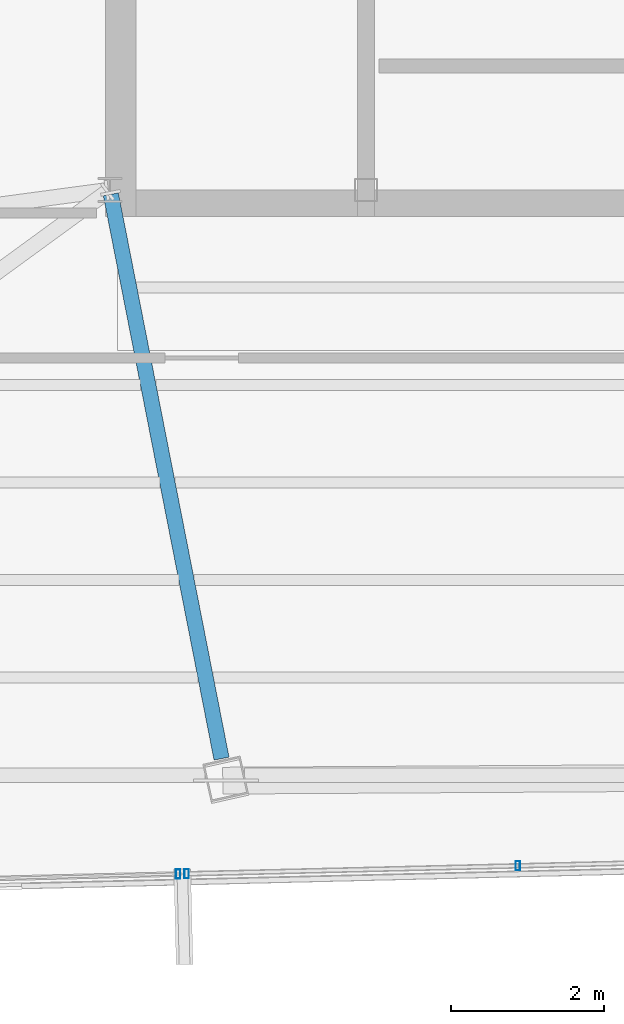
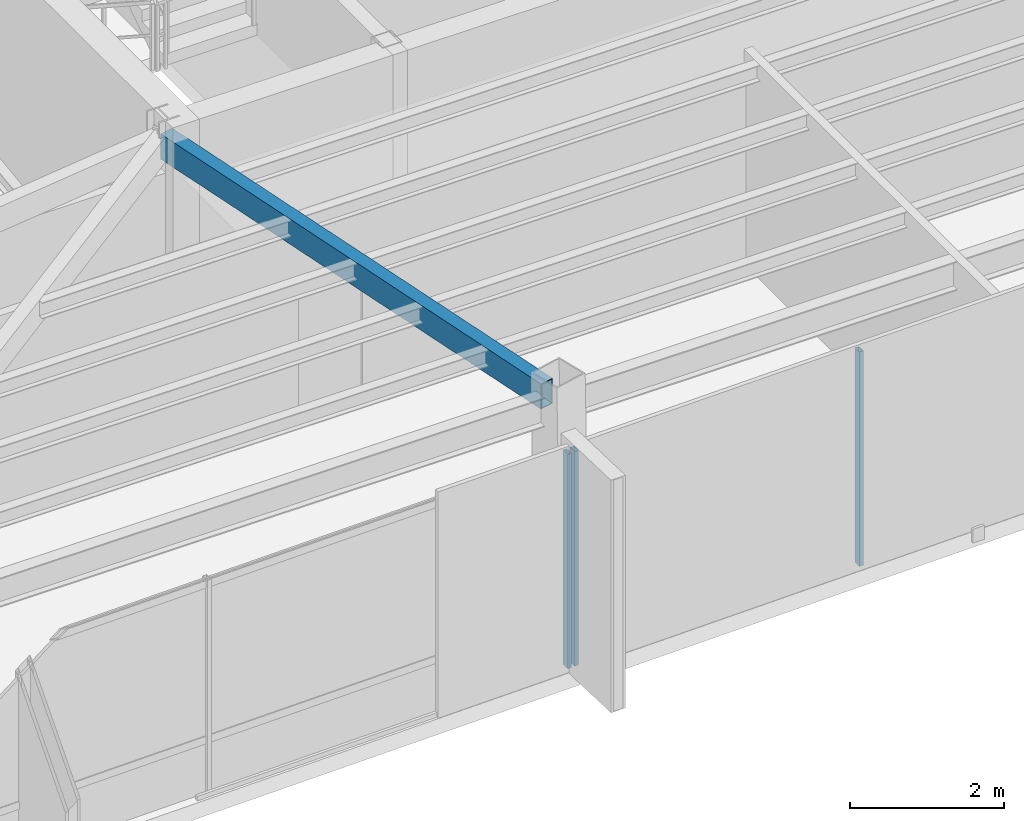
# One storey, part 11 of 45: 3 members, 1 beam, 2 elements without a shape of their own.
"""IFC4 building model written with IfcOpenShell, lengths in metres."""

import ifcopenshell
import ifcopenshell.guid

model = None  # the IFC model being written
_history = None  # IfcOwnerHistory: only IFC2X3 demands one
_inside = {}  # id of a spatial element -> (the spatial element, [elements in it])
_under = {}  # id of a project, library or spatial element -> (it, [spatial elements below it])
_declared = {}  # id of a project -> (the project, [libraries it declares])
_typed = {}  # id of a type object -> (the type object, [elements of that type])
_made_of = {}  # id of a material, layer set ... -> (it, [elements and type objects made of it])


def new_model(schema):
    """Start an empty IFC model of exactly this schema.

    Asked for "IFC4X3", IfcOpenShell would pick the latest addendum, in which some entities
    have other attributes; the version numbers below select the first issue.
    IFC2X3 requires an IfcOwnerHistory on every rooted entity: one is made here for all.
    """
    global model, _history
    if schema == "IFC4X3":
        model = ifcopenshell.file(schema_version=(4, 3, 0, 0))
    else:
        model = ifcopenshell.file(schema=schema)
    _inside.clear()
    _under.clear()
    _declared.clear()
    _typed.clear()
    _made_of.clear()
    _history = None
    if model.schema == "IFC2X3":
        org = make("IfcOrganization", Name="unknown")
        user = make(
            "IfcPersonAndOrganization",
            ThePerson=make("IfcPerson", FamilyName="unknown"),
            TheOrganization=org,
        )
        app = make(
            "IfcApplication",
            ApplicationDeveloper=org,
            Version="unknown",
            ApplicationFullName="unknown",
            ApplicationIdentifier="unknown",
        )
        _history = make(
            "IfcOwnerHistory",
            OwningUser=user,
            OwningApplication=app,
            ChangeAction="ADDED",
            CreationDate=0,
        )
    return model


def make(cls, **values):
    """One entity of the class cls with the attributes given. An attribute that is None is left unset."""
    return model.create_entity(
        cls, **{name: value for name, value in values.items() if value is not None}
    )


def rooted(cls, **values):
    """An entity with a GlobalId (a new one), such as an element, a storey or a relation."""
    return make(cls, GlobalId=ifcopenshell.guid.new(), OwnerHistory=_history, **values)


def si_unit(unit_type, name, prefix=None):
    """IfcSIUnit, for example si_unit("LENGTHUNIT", "METRE", prefix="MILLI")."""
    return make("IfcSIUnit", UnitType=unit_type, Prefix=prefix, Name=name)


def assignment(units):
    """IfcUnitAssignment: the units of a project."""
    return None if units is None else make("IfcUnitAssignment", Units=units)


def point(xyz):
    """IfcCartesianPoint."""
    return None if xyz is None else make("IfcCartesianPoint", Coordinates=xyz)


def direction(xyz):
    """IfcDirection."""
    return None if xyz is None else make("IfcDirection", DirectionRatios=xyz)


def frame(location, z_axis=None, x_axis=None):
    """IfcAxis2Placement3D, a coordinate frame: its origin and axes. An axis left out is left unset."""
    return make(
        "IfcAxis2Placement3D",
        Location=point(location),
        Axis=direction(z_axis),
        RefDirection=direction(x_axis),
    )


def frame_2d(location, x_axis=None):
    """IfcAxis2Placement2D, a coordinate frame in the plane: its origin and x axis."""
    return make(
        "IfcAxis2Placement2D", Location=point(location), RefDirection=direction(x_axis)
    )


def origin():
    """The frame at (0, 0, 0) with its axes left unset."""
    return frame((0.0, 0.0, 0.0))


def origin_2d():
    """The frame at (0, 0) in the plane with its x axis left unset."""
    return frame_2d((0.0, 0.0))


def place(relative_to, where):
    """IfcLocalPlacement: puts the frame where relative to a parent placement (None: the world)."""
    return make(
        "IfcLocalPlacement", PlacementRelTo=relative_to, RelativePlacement=where
    )


def context(
    kind, dimensions, precision=None, world=None, true_north=None, identifier=None
):
    """IfcGeometricRepresentationContext, for example the 3D "Model" context."""
    return make(
        "IfcGeometricRepresentationContext",
        ContextIdentifier=identifier,
        ContextType=kind,
        CoordinateSpaceDimension=dimensions,
        Precision=precision,
        WorldCoordinateSystem=world,
        TrueNorth=true_north,
    )


def subcontext(parent, identifier, kind, view, scale=None):
    """IfcGeometricRepresentationSubContext, for example "Body" below "Model"."""
    return make(
        "IfcGeometricRepresentationSubContext",
        ContextIdentifier=identifier,
        ContextType=kind,
        ParentContext=parent,
        TargetScale=scale,
        TargetView=view,
    )


def project(units=None, contexts=None):
    """IfcProject with its units and contexts."""
    return rooted(
        "IfcProject",
        Name="project",
        RepresentationContexts=contexts,
        UnitsInContext=assignment(units),
    )


def spatial(cls, under=None, at=None, **own):
    """A site, building, storey or space (cls), placed at a placement, below another one or the project."""
    s = rooted(cls, ObjectPlacement=at, **own)
    if under is not None:
        _under.setdefault(under.id(), (under, []))[1].append(s)
    return s


def profile(cls, at=None, kind="AREA", **sizes):
    """A parametric profile (cls). Its sizes go by their IFC names, for example OverallWidth=200.0."""
    return make(cls, ProfileType=kind, Position=at, **sizes)


def hollow_rectangle(**sizes):
    """IfcRectangleHollowProfileDef."""
    return profile("IfcRectangleHollowProfileDef", **sizes)


def extrude(swept, where, along, depth):
    """IfcExtrudedAreaSolid: the profile swept, set in the frame where, extruded along a direction by depth."""
    return make(
        "IfcExtrudedAreaSolid",
        SweptArea=swept,
        Position=where,
        ExtrudedDirection=direction(along),
        Depth=depth,
    )


def shape(context_of_items, identifier, shape_type, items):
    """IfcShapeRepresentation: the items that make up one representation, for example the "Body"."""
    return make(
        "IfcShapeRepresentation",
        ContextOfItems=context_of_items,
        RepresentationIdentifier=identifier,
        RepresentationType=shape_type,
        Items=items,
    )


def source(mapping_origin, context_of_items, identifier, shape_type, items):
    """IfcRepresentationMap: a shape defined once, which mapped items show again and again."""
    return make(
        "IfcRepresentationMap",
        MappingOrigin=mapping_origin,
        MappedRepresentation=shape(context_of_items, identifier, shape_type, items),
    )


def transform(
    local_origin,
    x_axis=None,
    y_axis=None,
    z_axis=None,
    scale=None,
    scale2=None,
    scale3=None,
    uniform=True,
):
    """IfcCartesianTransformationOperator3D, or its non-uniform kind. x_axis, y_axis, z_axis: its Axis1, 2, 3."""
    if uniform:
        return make(
            "IfcCartesianTransformationOperator3D",
            Axis1=direction(x_axis),
            Axis2=direction(y_axis),
            LocalOrigin=point(local_origin),
            Scale=scale,
            Axis3=direction(z_axis),
        )
    return make(
        "IfcCartesianTransformationOperator3DnonUniform",
        Axis1=direction(x_axis),
        Axis2=direction(y_axis),
        LocalOrigin=point(local_origin),
        Scale=scale,
        Axis3=direction(z_axis),
        Scale2=scale2,
        Scale3=scale3,
    )


def mapped(mapping_source, mapping_target):
    """IfcMappedItem: shows the shape of a source again, moved by a transform."""
    return make(
        "IfcMappedItem", MappingSource=mapping_source, MappingTarget=mapping_target
    )


def material(Name=None, Category=None):
    """IfcMaterial."""
    return make("IfcMaterial", Name=Name, Category=Category)


def material_profile(
    of_material, cross_section, Name=None, Category=None, Priority=None
):
    """IfcMaterialProfile: a cross section and its material."""
    return make(
        "IfcMaterialProfile",
        Name=Name,
        Material=of_material,
        Profile=cross_section,
        Priority=Priority,
        Category=Category,
    )


def profile_set(profiles, Name=None, composite=None):
    """IfcMaterialProfileSet."""
    return make(
        "IfcMaterialProfileSet",
        Name=Name,
        MaterialProfiles=profiles,
        CompositeProfile=composite,
    )


def made_of(thing, what):
    """Note that an element or type object is made of a material, layer set ...; save() writes the relation."""
    if what is not None:
        _made_of.setdefault(what.id(), (what, []))[1].append(thing)
    return thing


def type_object(cls, material=None, **own):
    """A type object (cls), such as IfcWallType, which elements share."""
    return made_of(rooted(cls, **own), material)


def type_shapes(of_type, sources):
    """Give a type object the sources (RepresentationMaps) that its elements show as mapped items."""
    of_type.RepresentationMaps = sources


def element(
    cls,
    number,
    at=None,
    inside=None,
    cuts=None,
    type_object=None,
    material=None,
    context=None,
    identifier="Body",
    shape_type=None,
    held_by="IfcProductDefinitionShape",
    body=None,
    shapes=None,
    **own,
):
    """One element of the class cls, such as IfcWall. Its Tag is "e" and its number.

    at: its placement. inside: the storey or other place that contains it. cuts: it is an
    opening in that element (IfcRelVoidsElement). A single representation is given by context,
    identifier, shape_type and body (its items); several are given by shapes. held_by: the class
    of the entity that holds the representations. save() writes the other relations.
    """
    e = rooted(cls, Tag="e%d" % number, ObjectPlacement=at, **own)
    if body is not None:
        shapes = [shape(context, identifier, shape_type, body)]
    if shapes is not None:
        e.Representation = make(held_by, Representations=shapes)
    if inside is not None:
        _inside.setdefault(inside.id(), (inside, []))[1].append(e)
    if cuts is not None:
        rooted(
            "IfcRelVoidsElement", RelatingBuildingElement=cuts, RelatedOpeningElement=e
        )
    if type_object is not None:
        _typed.setdefault(type_object.id(), (type_object, []))[1].append(e)
    return made_of(e, material)


def aggregate(whole, parts):
    """IfcRelAggregates: a whole, such as a stair, and the parts it consists of."""
    return rooted("IfcRelAggregates", RelatingObject=whole, RelatedObjects=parts)


def save(model, path):
    """Write the relations noted so far, then the file.

    IfcRelAggregates (storeys below a building ...), IfcRelContainedInSpatialStructure (elements
    in a storey), IfcRelDefinesByType, IfcRelAssociatesMaterial and IfcRelDeclares: one each for
    every whole, place, type object, material and project.
    """
    for whole, parts in _under.values():
        aggregate(whole, parts)
    for where, things in _inside.values():
        rooted(
            "IfcRelContainedInSpatialStructure",
            RelatedElements=things,
            RelatingStructure=where,
        )
    for kind, things in _typed.values():
        rooted("IfcRelDefinesByType", RelatedObjects=things, RelatingType=kind)
    for what, things in _made_of.values():
        rooted("IfcRelAssociatesMaterial", RelatedObjects=things, RelatingMaterial=what)
    for by, libraries in _declared.values():
        rooted("IfcRelDeclares", RelatingContext=by, RelatedDefinitions=libraries)
    model.write(path)


model = new_model("IFC4")

# Units and contexts
model_context = context("Model", 3, precision=1e-05, world=origin(), true_north=direction((0.0, 1.0)))
body_context = subcontext(model_context, "Body", "Model", "MODEL_VIEW")
ifc_project = project(units=[si_unit("LENGTHUNIT", "METRE"), si_unit("AREAUNIT", "SQUARE_METRE"), si_unit("VOLUMEUNIT", "CUBIC_METRE"), si_unit("PLANEANGLEUNIT", "RADIAN"), si_unit("MASSUNIT", "GRAM", prefix="KILO")], contexts=[model_context])

# Site, building, storey
site_placement = place(None, origin())
site = spatial("IfcSite", under=ifc_project, at=site_placement, CompositionType="ELEMENT")
building_placement = place(site_placement, origin())
building = spatial("IfcBuilding", under=site, at=building_placement, Name="Caelisora Broadcast Tower", CompositionType="ELEMENT")
storey_placement = place(building_placement, frame((0.0, 0.0, 273.64990234375)))
storey = spatial("IfcBuildingStorey", under=building, at=storey_placement, Name="L72", CompositionType="ELEMENT", Elevation=273.64990234375)

# Beam
ifc_material_1 = material(Name="Steel Grade 350 (AS/NZS 1163 C350L0)", Category="steel")
ifc_material_profile_1 = material_profile(ifc_material_1, hollow_rectangle(XDim=0.199951171875, YDim=0.39990234375, WallThickness=0.012451171875, at=origin_2d()), Name="Steel Grade 350 (AS/NZS 1163 C350L0)")
ifc_profile_set_1 = profile_set([ifc_material_profile_1], Name="Steel Grade 350 (AS/NZS 1163 C350L0)")
beam_type = type_object("IfcBeamType", Name="PG07", PredefinedType="BEAM", material=ifc_profile_set_1)
shared_shape_1 = source(origin(), body_context, "Body", "SweptSolid", [
    extrude(hollow_rectangle(XDim=0.199951171875, YDim=0.39990234375, WallThickness=0.012451171875, at=origin_2d()), origin(), (0.0, 0.0, 1.0), 7.519775390625),
])
type_shapes(beam_type, [shared_shape_1])
beam_placement = place(storey_placement, frame((30.51171875, 17.341064453125, 3.2001953125), z_axis=(0.192493540707, -0.981298240489, 0.0), x_axis=(0.981298240489, 0.192493540707, 0.0)))
element("IfcBeam", 1, at=beam_placement, inside=storey, type_object=beam_type, Name="L72 beam PG07", PredefinedType="BEAM", context=body_context, shape_type="MappedRepresentation", body=[
    mapped(shared_shape_1, transform((0.0, 0.0, 0.0), scale=1.0)),
])

# Curtain wall, members
ifc_material_2 = material(Name="Unitised Aluminium Insulated Shadow-Box Spandrel Curtain Wall", Category="aluminium")
curtain_wall_type_1 = type_object("IfcCurtainWallType", Name="CW-SP3", PredefinedType="NOTDEFINED", material=ifc_material_2)
curtain_wall_1_placement = place(storey_placement, origin())
curtain_wall_1 = element("IfcCurtainWall", 2, at=curtain_wall_1_placement, inside=storey, type_object=curtain_wall_type_1, Name="L72 curtain wall CW-SP3", PredefinedType="NOTDEFINED")
ifc_material_3 = material(Name="Aluminium 6063-T6 Anodised Terracotta Bronze", Category="aluminium")
ifc_material_profile_2 = material_profile(ifc_material_3, hollow_rectangle(XDim=0.06005859375, YDim=0.1201171875, WallThickness=0.0029296875, at=origin_2d()), Name="Aluminium 6063-T6 Anodised Terracotta Bronze")
ifc_profile_set_2 = profile_set([ifc_material_profile_2], Name="Aluminium 6063-T6 Anodised Terracotta Bronze")
member_type = type_object("IfcMemberType", Name="CWM-04", PredefinedType="MULLION", material=ifc_profile_set_2)
shared_shape_2 = source(origin(), body_context, "Body", "SweptSolid", [
    extrude(hollow_rectangle(XDim=0.06005859375, YDim=0.1201171875, WallThickness=0.0029296875, at=origin_2d()), origin(), (0.0, 0.0, 1.0), 3.400146484375),
])
type_shapes(member_type, [shared_shape_2])
member_1_placement = place(storey_placement, frame((35.83447265625, 8.559814453125, 0.0), z_axis=(0.0, 0.0, 1.0), x_axis=(1.0, 0.0, 0.0)))
member_1 = element("IfcMember", 3, at=member_1_placement, type_object=member_type, Name="L72-CW-B06 mullion #2", PredefinedType="MULLION", context=body_context, shape_type="MappedRepresentation", body=[
    mapped(shared_shape_2, transform((0.0, 0.0, 0.0), scale=1.0)),
])
member_2_placement = place(storey_placement, frame((31.502197265625, 8.455322265625, 0.0), z_axis=(0.0, 0.0, 1.0), x_axis=(1.0, 0.0, 0.0)))
member_2 = element("IfcMember", 4, at=member_2_placement, type_object=member_type, Name="L72-CW-B06 mullion #3", PredefinedType="MULLION", context=body_context, shape_type="MappedRepresentation", body=[
    mapped(shared_shape_2, transform((0.0, 0.0, 0.0), scale=1.0)),
])
aggregate(curtain_wall_1, [member_1, member_2])

# Curtain wall, member
ifc_material_4 = material(Name="Unitised Aluminium and Low-E Glass Curtain Wall", Category="glass")
curtain_wall_type_2 = type_object("IfcCurtainWallType", Name="CW-Z5", PredefinedType="NOTDEFINED", material=ifc_material_4)
curtain_wall_2_placement = place(storey_placement, origin())
curtain_wall_2 = element("IfcCurtainWall", 5, at=curtain_wall_2_placement, inside=storey, type_object=curtain_wall_type_2, Name="L72 curtain wall CW-Z5", PredefinedType="NOTDEFINED")
member_3_placement = place(storey_placement, frame((31.39208984375, 8.45263671875, 0.0), z_axis=(0.0, 0.0, 1.0), x_axis=(1.0, 0.0, 0.0)))
member_3 = element("IfcMember", 6, at=member_3_placement, type_object=member_type, Name="L72-CW-B07 mullion #0", PredefinedType="MULLION", context=body_context, shape_type="MappedRepresentation", body=[
    mapped(shared_shape_2, transform((0.0, 0.0, 0.0), scale=1.0)),
])
aggregate(curtain_wall_2, [member_3])

save(model, "model.ifc")
